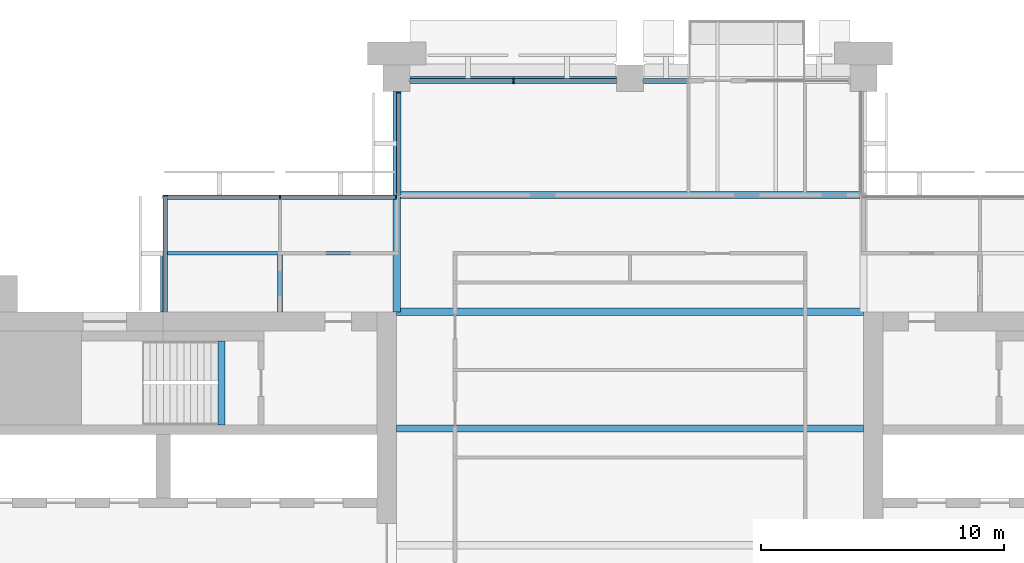
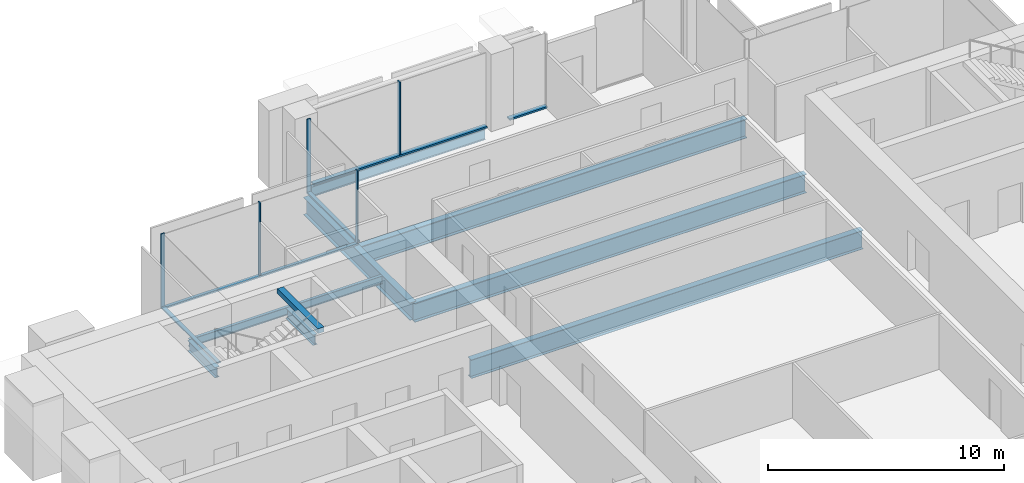
# One storey, part 5 of 14: 10 members, 9 beams, 4 elements without a shape of their own.
"""IFC4 building model written with IfcOpenShell, lengths in metres."""

from ifc_helpers import new_model, si_unit, direction, frame, origin, origin_2d, place, context, subcontext, project, spatial, rectangle, i_section, extrude, material, material_profile, profile_set, type_object, element, aggregate, save


model = new_model("IFC4")

# Units and contexts
model_context = context("Model", 3, precision=1e-05, world=origin(), true_north=direction((0.0, 1.0)))
body_context = subcontext(model_context, "Body", "Model", "MODEL_VIEW")
ifc_project = project(units=[si_unit("LENGTHUNIT", "METRE"), si_unit("AREAUNIT", "SQUARE_METRE"), si_unit("VOLUMEUNIT", "CUBIC_METRE"), si_unit("PLANEANGLEUNIT", "RADIAN"), si_unit("MASSUNIT", "GRAM", prefix="KILO")], contexts=[model_context])

# Site, building, storey
site_placement = place(None, origin())
site = spatial("IfcSite", under=ifc_project, at=site_placement, CompositionType="ELEMENT")
building_placement = place(site_placement, origin())
building = spatial("IfcBuilding", under=site, at=building_placement, Name="Baori Bourse Tower", CompositionType="ELEMENT")
storey_placement = place(building_placement, frame((0.0, 0.0, 245.199951171875)))
storey = spatial("IfcBuildingStorey", under=building, at=storey_placement, Name="L54", CompositionType="ELEMENT", Elevation=245.199951171875)

# Curtain wall, member
ifc_material_1 = material(Name="Pale anodised aluminium", Category="aluminium")
curtain_wall_type_1 = type_object("IfcCurtainWallType", Name="CW2 Curtain wall", PredefinedType="NOTDEFINED", material=ifc_material_1)
curtain_wall_1_placement = place(storey_placement, origin())
curtain_wall_1 = element("IfcCurtainWall", 1, at=curtain_wall_1_placement, inside=storey, type_object=curtain_wall_type_1, Name="Curtain wall CW2 L54 7", PredefinedType="NOTDEFINED")
ifc_material_2 = material(Name="Pale anodised aluminium", Category="aluminium")
ifc_material_profile_1 = material_profile(ifc_material_2, rectangle(XDim=0.179931640625, YDim=0.054931640625, at=origin_2d()), Name="Mullion 55x180")
ifc_profile_set_1 = profile_set([ifc_material_profile_1], Name="Pale anodised aluminium")
member_type_1 = type_object("IfcMemberType", Name="CW2 Curtain wall mullion", PredefinedType="MULLION", material=ifc_profile_set_1)
member_1_placement = place(storey_placement, frame((19.2900390625, 47.422607421875, 0.070068359375), z_axis=(0.0, 0.0, 1.0), x_axis=(1.0, 0.0, 0.0)))
member_1 = element("IfcMember", 2, at=member_1_placement, type_object=member_type_1, Name="Curtain wall CW2 mullion", PredefinedType="MULLION", context=body_context, shape_type="SweptSolid", body=[
    extrude(rectangle(XDim=0.179931640625, YDim=0.054931640625, at=origin_2d()), origin(), (0.0, 0.0, 1.0), 3.77001953125),
])

# Curtain wall, members
curtain_wall_2_placement = place(storey_placement, origin())
curtain_wall_2 = element("IfcCurtainWall", 3, at=curtain_wall_2_placement, inside=storey, type_object=curtain_wall_type_1, Name="Curtain wall CW2 L54 8", PredefinedType="NOTDEFINED")
member_2_placement = place(storey_placement, frame((19.172607421875, 43.110107421875, 0.070068359375), z_axis=(0.0, 0.0, 1.0), x_axis=(0.0, -1.0, 0.0)))
member_2 = element("IfcMember", 4, at=member_2_placement, type_object=member_type_1, Name="Curtain wall CW2 mullion", PredefinedType="MULLION", context=body_context, shape_type="SweptSolid", body=[
    extrude(rectangle(XDim=0.179931640625, YDim=0.054931640625, at=origin_2d()), origin(), (0.0, 0.0, 1.0), 3.77001953125),
])
member_3_placement = place(storey_placement, frame((14.39990234375, 43.110107421875, 0.070068359375), z_axis=(0.0, 0.0, 1.0), x_axis=(0.0, -1.0, 0.0)))
member_3 = element("IfcMember", 5, at=member_3_placement, type_object=member_type_1, Name="Curtain wall CW2 mullion", PredefinedType="MULLION", context=body_context, shape_type="SweptSolid", body=[
    extrude(rectangle(XDim=0.179931640625, YDim=0.054931640625, at=origin_2d()), origin(), (0.0, 0.0, 1.0), 3.77001953125),
])

# Curtain wall, member
curtain_wall_3_placement = place(storey_placement, origin())
curtain_wall_3 = element("IfcCurtainWall", 6, at=curtain_wall_3_placement, inside=storey, type_object=curtain_wall_type_1, Name="Curtain wall CW2 L54 9", PredefinedType="NOTDEFINED")
member_4_placement = place(storey_placement, frame((9.68994140625, 43.172607421875, 0.070068359375), z_axis=(0.0, 0.0, 1.0), x_axis=(1.0, 0.0, 0.0)))
member_4 = element("IfcMember", 7, at=member_4_placement, type_object=member_type_1, Name="Curtain wall CW2 mullion", PredefinedType="MULLION", context=body_context, shape_type="SweptSolid", body=[
    extrude(rectangle(XDim=0.179931640625, YDim=0.054931640625, at=origin_2d()), origin(), (0.0, 0.0, 1.0), 3.77001953125),
])

# Member
ifc_material_3 = material(Name="Pale anodised aluminium", Category="aluminium")
ifc_material_profile_2 = material_profile(ifc_material_3, rectangle(XDim=0.179931640625, YDim=0.070068359375, at=origin_2d()), Name="Transom 70x180")
ifc_profile_set_2 = profile_set([ifc_material_profile_2], Name="Pale anodised aluminium")
member_type_2 = type_object("IfcMemberType", Name="CW2 Curtain wall transom", PredefinedType="USERDEFINED", material=ifc_profile_set_2)
member_5_placement = place(storey_placement, frame((19.2900390625, 47.449951171875, 0.03515625), z_axis=(0.0, -1.0, 0.0), x_axis=(1.0, 0.0, 0.0)))
member_5 = element("IfcMember", 8, at=member_5_placement, type_object=member_type_2, Name="Curtain wall CW2 sill rail", ObjectType="TRANSOM", PredefinedType="USERDEFINED", context=body_context, shape_type="SweptSolid", body=[
    extrude(rectangle(XDim=0.179931640625, YDim=0.070068359375, at=origin_2d()), origin(), (0.0, 0.0, 1.0), 4.25),
])

aggregate(curtain_wall_1, [member_5, member_1])

member_6_placement = place(storey_placement, frame((19.199951171875, 43.110107421875, 0.03515625), z_axis=(-1.0, 0.0, 0.0), x_axis=(0.0, -1.0, 0.0)))
member_6 = element("IfcMember", 9, at=member_6_placement, type_object=member_type_2, Name="Curtain wall CW2 sill rail", ObjectType="TRANSOM", PredefinedType="USERDEFINED", context=body_context, shape_type="SweptSolid", body=[
    extrude(rectangle(XDim=0.179931640625, YDim=0.070068359375, at=origin_2d()), origin(), (0.0, 0.0, 1.0), 9.599853515625),
])

aggregate(curtain_wall_2, [member_6, member_2, member_3])

member_7_placement = place(storey_placement, frame((9.68994140625, 43.199951171875, 0.03515625), z_axis=(0.0, -1.0, 0.0), x_axis=(1.0, 0.0, 0.0)))
member_7 = element("IfcMember", 10, at=member_7_placement, type_object=member_type_2, Name="Curtain wall CW2 sill rail", ObjectType="TRANSOM", PredefinedType="USERDEFINED", context=body_context, shape_type="SweptSolid", body=[
    extrude(rectangle(XDim=0.179931640625, YDim=0.070068359375, at=origin_2d()), origin(), (0.0, 0.0, 1.0), 4.800048828125),
])

aggregate(curtain_wall_3, [member_7, member_4])

# Curtain wall, members
ifc_material_4 = material(Name="Pale anodised aluminium", Category="aluminium")
curtain_wall_type_2 = type_object("IfcCurtainWallType", Name="CW5 Curtain wall", PredefinedType="NOTDEFINED", material=ifc_material_4)
curtain_wall_4_placement = place(storey_placement, origin())
curtain_wall_4 = element("IfcCurtainWall", 11, at=curtain_wall_4_placement, inside=storey, type_object=curtain_wall_type_2, Name="Curtain wall CW5 L54 6", PredefinedType="NOTDEFINED")
ifc_material_5 = material(Name="Pale anodised aluminium", Category="aluminium")
ifc_material_profile_3 = material_profile(ifc_material_5, rectangle(XDim=0.219970703125, YDim=0.06494140625, at=origin_2d()), Name="Mullion 65x220")
ifc_profile_set_3 = profile_set([ifc_material_profile_3], Name="Pale anodised aluminium")
member_type_3 = type_object("IfcMemberType", Name="CW5 Curtain wall mullion", PredefinedType="MULLION", material=ifc_profile_set_3)
member_8_placement = place(storey_placement, frame((24.0, 47.889892578125, 0.0849609375), z_axis=(0.0, 0.0, 1.0), x_axis=(0.0, -1.0, 0.0)))
member_8 = element("IfcMember", 12, at=member_8_placement, type_object=member_type_3, Name="Curtain wall CW5 mullion", PredefinedType="MULLION", context=body_context, shape_type="SweptSolid", body=[
    extrude(rectangle(XDim=0.219970703125, YDim=0.06494140625, at=origin_2d()), origin(), (0.0, 0.0, 1.0), 3.755126953125),
])
ifc_material_6 = material(Name="Pale anodised aluminium", Category="aluminium")
ifc_material_profile_4 = material_profile(ifc_material_6, rectangle(XDim=0.219970703125, YDim=0.0849609375, at=origin_2d()), Name="Transom 85x220")
ifc_profile_set_4 = profile_set([ifc_material_profile_4], Name="Pale anodised aluminium")
member_type_4 = type_object("IfcMemberType", Name="CW5 Curtain wall transom", PredefinedType="USERDEFINED", material=ifc_profile_set_4)
member_9_placement = place(storey_placement, frame((31.199951171875, 47.889892578125, 0.04248046875), z_axis=(-1.0, 0.0, 0.0), x_axis=(0.0, -1.0, 0.0)))
member_9 = element("IfcMember", 13, at=member_9_placement, type_object=member_type_4, Name="Curtain wall CW5 sill rail", ObjectType="TRANSOM", PredefinedType="USERDEFINED", context=body_context, shape_type="SweptSolid", body=[
    extrude(rectangle(XDim=0.219970703125, YDim=0.0849609375, at=origin_2d()), origin(), (0.0, 0.0, 1.0), 1.849853515625),
])
member_10_placement = place(storey_placement, frame((28.25, 47.889892578125, 0.04248046875), z_axis=(-1.0, 0.0, 0.0), x_axis=(0.0, -1.0, 0.0)))
member_10 = element("IfcMember", 14, at=member_10_placement, type_object=member_type_4, Name="Curtain wall CW5 sill rail", ObjectType="TRANSOM", PredefinedType="USERDEFINED", context=body_context, shape_type="SweptSolid", body=[
    extrude(rectangle(XDim=0.219970703125, YDim=0.0849609375, at=origin_2d()), origin(), (0.0, 0.0, 1.0), 8.5),
])
aggregate(curtain_wall_4, [member_9, member_10, member_8])

# Beams
ifc_material_7 = material(Name="Steel A992 Gr 50", Category="steel")
ifc_material_profile_5 = material_profile(ifc_material_7, i_section(OverallWidth=0.21240234375, OverallDepth=0.54345703125, WebThickness=0.01318359375, FlangeThickness=0.021240234375, at=origin_2d()), Name="W21x83")
ifc_profile_set_5 = profile_set([ifc_material_profile_5], Name="Steel A992 Gr 50")
beam_type_1 = type_object("IfcBeamType", Name="Core bracket W21x83", PredefinedType="BEAM", material=ifc_profile_set_5)
for number, where, z_axis, x_axis, name in (
    (15, (9.60009765625, 38.39990234375, -0.431640625), (0.0, 1.0, 0.0), (-1.0, 0.0, 0.0), "Core bracket L54"),
    (16, (14.39990234375, 38.39990234375, -0.431640625), (0.0, 1.0, 0.0), (-1.0, 0.0, 0.0), "Core bracket L54"),
):
    element("IfcBeam", number, at=place(storey_placement, frame(where, z_axis=z_axis, x_axis=x_axis)), inside=storey, type_object=beam_type_1, Name=name, PredefinedType="BEAM", context=body_context, shape_type="SweptSolid", body=[
        extrude(i_section(OverallWidth=0.21240234375, OverallDepth=0.54345703125, WebThickness=0.01318359375, FlangeThickness=0.021240234375, at=origin_2d()), origin(), (0.0, 0.0, 1.0), 2.329833984375),
    ])
ifc_material_8 = material(Name="Steel A992 Gr 50", Category="steel")
ifc_material_profile_6 = material_profile(ifc_material_8, i_section(OverallWidth=0.1650390625, OverallDepth=0.52587890625, WebThickness=0.0087890625, FlangeThickness=0.011474609375, at=origin_2d()), Name="W21x44")
ifc_profile_set_6 = profile_set([ifc_material_profile_6], Name="Steel A992 Gr 50")
beam_type_2 = type_object("IfcBeamType", Name="Edge beam W21x44", PredefinedType="BEAM", material=ifc_profile_set_6)
beam_1_placement = place(storey_placement, frame((19.75, 48.0, -0.4228515625), z_axis=(1.0, 0.0, 0.0), x_axis=(0.0, 1.0, 0.0)))
element("IfcBeam", 17, at=beam_1_placement, inside=storey, type_object=beam_type_2, Name="Edge beam L54", PredefinedType="BEAM", context=body_context, shape_type="SweptSolid", body=[
    extrude(i_section(OverallWidth=0.1650390625, OverallDepth=0.52587890625, WebThickness=0.0087890625, FlangeThickness=0.011474609375, at=origin_2d()), origin(), (0.0, 0.0, 1.0), 8.5),
])
ifc_material_9 = material(Name="Steel A992 Gr 50", Category="steel")
ifc_material_profile_7 = material_profile(ifc_material_9, i_section(OverallWidth=0.2998046875, OverallDepth=0.97021484375, WebThickness=0.01611328125, FlangeThickness=0.02099609375, at=origin_2d()), Name="W40x149")
ifc_profile_set_7 = profile_set([ifc_material_profile_7], Name="Steel A992 Gr 50")
beam_type_3 = type_object("IfcBeamType", Name="Floor beam W40x149", PredefinedType="BEAM", material=ifc_profile_set_7)
for number, where, z_axis, x_axis, name in (
    (18, (19.199951171875, 33.60009765625, -0.64501953125), (1.0, 0.0, 0.0), (0.0, 1.0, 0.0), "Floor beam L54"),
    (19, (19.199951171875, 38.39990234375, -0.64501953125), (1.0, 0.0, 0.0), (0.0, 1.0, 0.0), "Floor beam L54"),
):
    element("IfcBeam", number, at=place(storey_placement, frame(where, z_axis=z_axis, x_axis=x_axis)), inside=storey, type_object=beam_type_3, Name=name, PredefinedType="BEAM", context=body_context, shape_type="SweptSolid", body=[
        extrude(i_section(OverallWidth=0.2998046875, OverallDepth=0.97021484375, WebThickness=0.01611328125, FlangeThickness=0.02099609375, at=origin_2d()), origin(), (0.0, 0.0, 1.0), 19.199951171875),
    ])
ifc_material_10 = material(Name="Steel A992 Gr 50", Category="steel")
ifc_material_profile_8 = material_profile(ifc_material_10, i_section(OverallWidth=0.2998046875, OverallDepth=0.990478515625, WebThickness=0.0166015625, FlangeThickness=0.030517578125, at=origin_2d()), Name="W40x183")
ifc_profile_set_8 = profile_set([ifc_material_profile_8], Name="Steel A992 Gr 50")
beam_type_4 = type_object("IfcBeamType", Name="Floor beam W40x183", PredefinedType="BEAM", material=ifc_profile_set_8)
beam_2_placement = place(storey_placement, frame((19.352294921875, 43.199951171875, -0.6552734375), z_axis=(1.0, 0.0, 0.0), x_axis=(0.0, 1.0, 0.0)))
element("IfcBeam", 20, at=beam_2_placement, inside=storey, type_object=beam_type_4, Name="Floor beam L54", PredefinedType="BEAM", context=body_context, shape_type="SweptSolid", body=[
    extrude(i_section(OverallWidth=0.2998046875, OverallDepth=0.990478515625, WebThickness=0.0166015625, FlangeThickness=0.030517578125, at=origin_2d()), origin(), (0.0, 0.0, 1.0), 18.89794921875),
])
ifc_material_11 = material(Name="Steel A992 Gr 50", Category="steel")
ifc_material_profile_9 = material_profile(ifc_material_11, i_section(OverallWidth=0.3046875, OverallDepth=0.904296875, WebThickness=0.01513671875, FlangeThickness=0.02001953125, at=origin_2d()), Name="W36x135")
ifc_profile_set_9 = profile_set([ifc_material_profile_9], Name="Steel A992 Gr 50")
beam_type_5 = type_object("IfcBeamType", Name="Girder W36x135", PredefinedType="BEAM", material=ifc_profile_set_9)
beam_3_placement = place(storey_placement, frame((19.199951171875, 38.39990234375, -0.612060546875), z_axis=(0.0, 1.0, 0.0), x_axis=(-1.0, 0.0, 0.0)))
element("IfcBeam", 21, at=beam_3_placement, inside=storey, type_object=beam_type_5, Name="Girder L54", PredefinedType="BEAM", context=body_context, shape_type="SweptSolid", body=[
    extrude(i_section(OverallWidth=0.3046875, OverallDepth=0.904296875, WebThickness=0.01513671875, FlangeThickness=0.02001953125, at=origin_2d()), origin(), (0.0, 0.0, 1.0), 9.050048828125),
])
ifc_material_12 = material(Name="Concrete f'c 50 MPa", Category="concrete")
ifc_material_profile_10 = material_profile(ifc_material_12, rectangle(XDim=0.300048828125, YDim=0.25, at=origin_2d()), Name="RC 300x250")
ifc_profile_set_10 = profile_set([ifc_material_profile_10], Name="Concrete f'c 50 MPa")
beam_type_6 = type_object("IfcBeamType", Name="Stair nib beam RC 300x250", PredefinedType="BEAM", material=ifc_profile_set_10)
beam_4_placement = place(storey_placement, frame((12.0, 33.75, 3.715087890625), z_axis=(0.0, 1.0, 0.0), x_axis=(-1.0, 0.0, 0.0)))
element("IfcBeam", 22, at=beam_4_placement, inside=storey, type_object=beam_type_6, Name="Stair WB nib beam L55", PredefinedType="BEAM", context=body_context, shape_type="SweptSolid", body=[
    extrude(rectangle(XDim=0.300048828125, YDim=0.25, at=origin_2d()), origin(), (0.0, 0.0, 1.0), 3.449951171875),
])
ifc_material_13 = material(Name="Steel A992 Gr 50", Category="steel")
ifc_material_profile_11 = material_profile(ifc_material_13, i_section(OverallWidth=0.140380859375, OverallDepth=0.40380859375, WebThickness=0.007080078125, FlangeThickness=0.01123046875, at=origin_2d()), Name="W16x31")
ifc_profile_set_11 = profile_set([ifc_material_profile_11], Name="Steel A992 Gr 50")
beam_type_7 = type_object("IfcBeamType", Name="Trimmer beam W16x31", PredefinedType="BEAM", material=ifc_profile_set_11)
beam_5_placement = place(storey_placement, frame((9.60009765625, 40.800048828125, -0.36181640625), z_axis=(1.0, 0.0, 0.0), x_axis=(0.0, 1.0, 0.0)))
element("IfcBeam", 23, at=beam_5_placement, inside=storey, type_object=beam_type_7, Name="Trimmer beam L54", PredefinedType="BEAM", context=body_context, shape_type="SweptSolid", body=[
    extrude(i_section(OverallWidth=0.140380859375, OverallDepth=0.40380859375, WebThickness=0.007080078125, FlangeThickness=0.01123046875, at=origin_2d()), origin(), (0.0, 0.0, 1.0), 9.447509765625),
])

save(model, "model.ifc")
